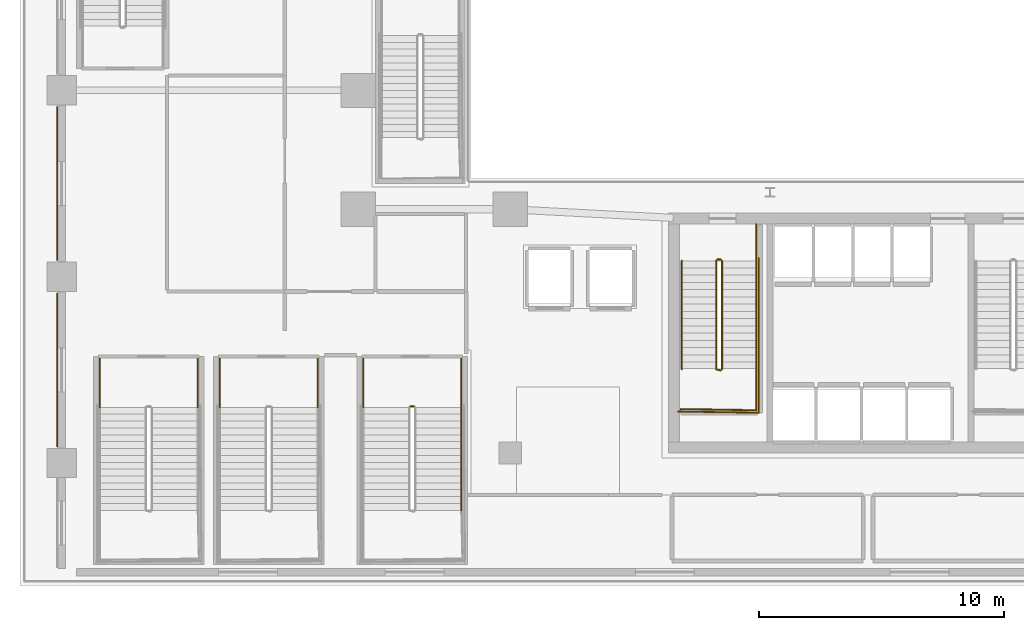
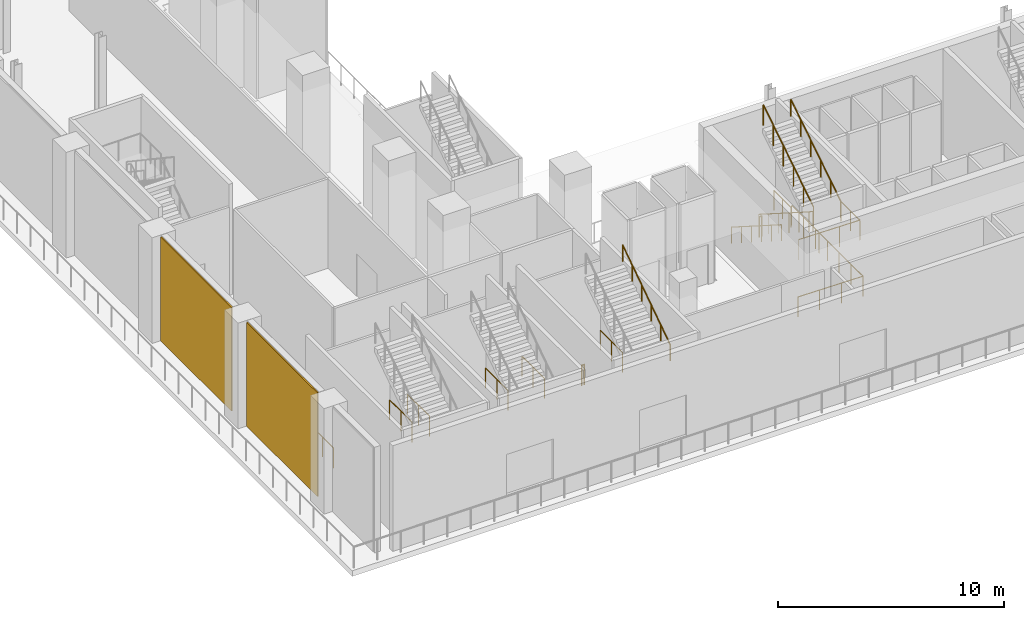
# One storey, part 16 of 29: 16 railings, 2 coverings.
"""IFC4 building model written with IfcOpenShell, lengths in metres."""

from ifc_helpers import new_model, si_unit, direction, frame, origin, origin_2d, place, context, subcontext, project, spatial, rectangle, circle, extrude, material, layer, layer_set, type_object, element, save


model = new_model("IFC4")

# Units and contexts
model_context = context("Model", 3, precision=1e-05, world=origin(), true_north=direction((0.0, 1.0)))
body_context = subcontext(model_context, "Body", "Model", "MODEL_VIEW")
ifc_project = project(units=[si_unit("LENGTHUNIT", "METRE"), si_unit("AREAUNIT", "SQUARE_METRE"), si_unit("VOLUMEUNIT", "CUBIC_METRE"), si_unit("PLANEANGLEUNIT", "RADIAN"), si_unit("MASSUNIT", "GRAM", prefix="KILO")], contexts=[model_context])

# Site, building, storey
site_placement = place(None, origin())
site = spatial("IfcSite", under=ifc_project, at=site_placement, CompositionType="ELEMENT")
building_placement = place(site_placement, origin())
building = spatial("IfcBuilding", under=site, at=building_placement, Name="Ndaravel Arena Tower", CompositionType="ELEMENT")
storey_placement = place(building_placement, frame((0.0, 0.0, 12.0)))
storey = spatial("IfcBuildingStorey", under=building, at=storey_placement, Name="L02", CompositionType="ELEMENT", Elevation=12.0)

# Coverings
ifc_material_1 = material(Name="Masonry", Category="masonry")
ifc_layer_1 = layer(ifc_material_1, 0.06005859375)
ifc_layer_set_1 = layer_set([ifc_layer_1], Name="Masonry")
covering_type = type_object("IfcCoveringType", Name="COV-STONE-CLAD", PredefinedType="CLADDING", material=ifc_layer_set_1)
for number, where, z_axis, x_axis, name in (
    (1, (1.52001953125, 8.800048828125, 0.050048828125), (0.0, 0.0, 1.0), (1.0, 0.0, 0.0), "L02 Honed Mazeras Ashlar Panel W2"),
    (2, (1.52001953125, 16.39990234375, 0.050048828125), (0.0, 0.0, 1.0), (1.0, 0.0, 0.0), "L02 Honed Mazeras Ashlar Panel W3"),
):
    element("IfcCovering", number, at=place(storey_placement, frame(where, z_axis=z_axis, x_axis=x_axis)), inside=storey, type_object=covering_type, Name=name, PredefinedType="CLADDING", context=body_context, shape_type="SweptSolid", body=[
        extrude(rectangle(XDim=0.06005859375, YDim=6.260009765625, at=origin_2d()), origin(), (0.0, 0.0, 1.0), 5.60009765625),
    ])

# Railings
ifc_material_2 = material(Name="Steel S355", Category="steel")
ifc_layer_2 = layer(ifc_material_2, 0.06005859375)
ifc_layer_set_2 = layer_set([ifc_layer_2], Name="Steel S355")
railing_type_1 = type_object("IfcRailingType", Name="RAIL-STAIR-GD1100", PredefinedType="GUARDRAIL", material=ifc_layer_set_2)
railing_1_placement = place(storey_placement, frame((28.39990234375, 13.25, 0.1875)))
element("IfcRailing", 3, at=railing_1_placement, inside=storey, type_object=railing_type_1, Name="L02 ST-1 stair guard 1", PredefinedType="GUARDRAIL", context=body_context, shape_type="SweptSolid", body=[
    extrude(circle(Radius=0.02392578125, at=origin_2d()), frame((0.0, 0.0, 1.076171875), z_axis=(0.0, -0.843958541447, 0.536408408136), x_axis=(1.0, 0.0, 0.0)), (0.0, 0.0, 1.0), 5.2431640625),
    extrude(circle(Radius=0.02392578125, at=origin_2d()), frame((0.0, -4.425048828125, 3.888671875), z_axis=(0.967074537263, -0.25449329928, 0.0), x_axis=(0.25449329928, 0.967074537263, 0.0)), (0.0, 0.0, 1.0), 0.19677734375),
    extrude(circle(Radius=0.02099609375, at=origin_2d()), origin(), (0.0, 0.0, 1.0), 1.052001953125),
    extrude(circle(Radius=0.02099609375, at=origin_2d()), frame((0.0, -0.885009765625, 0.5625)), (0.0, 0.0, 1.0), 1.052001953125),
    extrude(circle(Radius=0.02099609375, at=origin_2d()), frame((0.0, -1.77001953125, 1.125)), (0.0, 0.0, 1.0), 1.052001953125),
    extrude(circle(Radius=0.02099609375, at=origin_2d()), frame((0.0, -2.655029296875, 1.6875)), (0.0, 0.0, 1.0), 1.052001953125),
    extrude(circle(Radius=0.02099609375, at=origin_2d()), frame((0.0, -3.5400390625, 2.25)), (0.0, 0.0, 1.0), 1.052001953125),
    extrude(circle(Radius=0.02099609375, at=origin_2d()), frame((0.0, -4.425048828125, 2.8125)), (0.0, 0.0, 1.0), 1.052001953125),
    extrude(circle(Radius=0.02099609375, at=origin_2d()), frame((0.190185546875, -4.47509765625, 2.8125)), (0.0, 0.0, 1.0), 1.052001953125),
])
railing_2_placement = place(storey_placement, frame((30.0400390625, 8.824951171875, 3.0)))
element("IfcRailing", 4, at=railing_2_placement, inside=storey, type_object=railing_type_1, Name="L02 ST-1 stair guard 2", PredefinedType="GUARDRAIL", context=body_context, shape_type="SweptSolid", body=[
    extrude(circle(Radius=0.02392578125, at=origin_2d()), frame((0.0, 0.0, 1.076171875), z_axis=(0.0, -1.0, 0.0), x_axis=(1.0, 0.0, 0.0)), (0.0, 0.0, 1.0), 1.675048828125),
    extrude(circle(Radius=0.02392578125, at=origin_2d()), frame((0.0, -1.675048828125, 1.076171875), z_axis=(-0.999868861343, 0.016194447071, 0.0), x_axis=(-0.016194447071, -0.999868861343, 0.0)), (0.0, 0.0, 1.0), 3.090576171875),
    extrude(circle(Radius=0.02099609375, at=origin_2d()), origin(), (0.0, 0.0, 1.0), 1.052001953125),
    extrude(circle(Radius=0.02099609375, at=origin_2d()), frame((0.0, -0.83740234375, 0.0)), (0.0, 0.0, 1.0), 1.052001953125),
    extrude(circle(Radius=0.02099609375, at=origin_2d()), frame((0.0, -1.675048828125, 0.0)), (0.0, 0.0, 1.0), 1.052001953125),
    extrude(circle(Radius=0.02099609375, at=origin_2d()), frame((-1.030029296875, -1.658447265625, 0.0)), (0.0, 0.0, 1.0), 1.052001953125),
    extrude(circle(Radius=0.02099609375, at=origin_2d()), frame((-2.06005859375, -1.6416015625, 0.0)), (0.0, 0.0, 1.0), 1.052001953125),
    extrude(circle(Radius=0.02099609375, at=origin_2d()), frame((-3.090087890625, -1.625, 0.0)), (0.0, 0.0, 1.0), 1.052001953125),
])
railing_3_placement = place(storey_placement, frame((28.639892578125, 8.824951171875, 3.1875)))
element("IfcRailing", 5, at=railing_3_placement, inside=storey, type_object=railing_type_1, Name="L02 ST-1 stair guard 3", PredefinedType="GUARDRAIL", context=body_context, shape_type="SweptSolid", body=[
    extrude(circle(Radius=0.02392578125, at=origin_2d()), frame((0.0, 0.0, 1.076171875), z_axis=(0.0, 0.843958541447, 0.536408408136), x_axis=(-1.0, 0.0, 0.0)), (0.0, 0.0, 1.0), 5.2431640625),
    extrude(circle(Radius=0.02099609375, at=origin_2d()), origin(), (0.0, 0.0, 1.0), 1.052001953125),
    extrude(circle(Radius=0.02099609375, at=origin_2d()), frame((0.0, 0.885009765625, 0.5625)), (0.0, 0.0, 1.0), 1.052001953125),
    extrude(circle(Radius=0.02099609375, at=origin_2d()), frame((0.0, 1.77001953125, 1.125)), (0.0, 0.0, 1.0), 1.052001953125),
    extrude(circle(Radius=0.02099609375, at=origin_2d()), frame((0.0, 2.655029296875, 1.6875)), (0.0, 0.0, 1.0), 1.052001953125),
    extrude(circle(Radius=0.02099609375, at=origin_2d()), frame((0.0, 3.5400390625, 2.25)), (0.0, 0.0, 1.0), 1.052001953125),
    extrude(circle(Radius=0.02099609375, at=origin_2d()), frame((0.0, 4.425048828125, 2.8125)), (0.0, 0.0, 1.0), 1.052001953125),
])
railing_4_placement = place(storey_placement, frame((28.449951171875, 13.300048828125, 0.0)))
element("IfcRailing", 6, at=railing_4_placement, inside=storey, type_object=railing_type_1, Name="L02 ST-1 stair guard 4", PredefinedType="GUARDRAIL", context=body_context, shape_type="SweptSolid", body=[
    extrude(circle(Radius=0.02392578125, at=origin_2d()), frame((0.0, 0.0, 1.076171875), z_axis=(1.0, 0.0, 0.0), x_axis=(0.0, 1.0, 0.0)), (0.0, 0.0, 1.0), 0.14013671875),
    extrude(circle(Radius=0.02099609375, at=origin_2d()), origin(), (0.0, 0.0, 1.0), 1.052001953125),
    extrude(circle(Radius=0.02099609375, at=origin_2d()), frame((0.14013671875, 0.0, 0.0)), (0.0, 0.0, 1.0), 1.052001953125),
])
railing_5_placement = place(storey_placement, frame((30.0400390625, 14.75, 0.0)))
element("IfcRailing", 7, at=railing_5_placement, inside=storey, type_object=railing_type_1, Name="L02 ST-1 stair guard 5", PredefinedType="GUARDRAIL", context=body_context, shape_type="SweptSolid", body=[
    extrude(circle(Radius=0.02392578125, at=origin_2d()), frame((0.0, 0.0, 1.076171875), z_axis=(0.0, -1.0, 0.0), x_axis=(1.0, 0.0, 0.0)), (0.0, 0.0, 1.0), 1.5),
    extrude(circle(Radius=0.02099609375, at=origin_2d()), origin(), (0.0, 0.0, 1.0), 1.052001953125),
    extrude(circle(Radius=0.02099609375, at=origin_2d()), frame((0.0, -0.75, 0.0)), (0.0, 0.0, 1.0), 1.052001953125),
    extrude(circle(Radius=0.02099609375, at=origin_2d()), frame((0.0, -1.5, 0.0)), (0.0, 0.0, 1.0), 1.052001953125),
])
railing_6_placement = place(storey_placement, frame((30.139892578125, 13.35009765625, 0.0)))
element("IfcRailing", 8, at=railing_6_placement, inside=storey, type_object=railing_type_1, Name="L02 ST-1 stair guard 6", PredefinedType="GUARDRAIL", context=body_context, shape_type="SweptSolid", body=[
    extrude(circle(Radius=0.02392578125, at=origin_2d()), frame((0.0, 0.0, 1.076171875), z_axis=(0.0, -1.0, 0.0), x_axis=(1.0, 0.0, 0.0)), (0.0, 0.0, 1.0), 6.300048828125),
    extrude(circle(Radius=0.02392578125, at=origin_2d()), frame((0.0, -6.300048828125, 1.076171875), z_axis=(-0.999884296952, 0.015211597839, 0.0), x_axis=(-0.015211597839, -0.999884296952, 0.0)), (0.0, 0.0, 1.0), 3.290283203125),
    extrude(circle(Radius=0.02099609375, at=origin_2d()), origin(), (0.0, 0.0, 1.0), 1.052001953125),
    extrude(circle(Radius=0.02099609375, at=origin_2d()), frame((0.0, -1.050048828125, 0.0)), (0.0, 0.0, 1.0), 1.052001953125),
    extrude(circle(Radius=0.02099609375, at=origin_2d()), frame((0.0, -2.10009765625, 0.0)), (0.0, 0.0, 1.0), 1.052001953125),
    extrude(circle(Radius=0.02099609375, at=origin_2d()), frame((0.0, -3.14990234375, 0.0)), (0.0, 0.0, 1.0), 1.052001953125),
    extrude(circle(Radius=0.02099609375, at=origin_2d()), frame((0.0, -4.199951171875, 0.0)), (0.0, 0.0, 1.0), 1.052001953125),
    extrude(circle(Radius=0.02099609375, at=origin_2d()), frame((0.0, -5.25, 0.0)), (0.0, 0.0, 1.0), 1.052001953125),
    extrude(circle(Radius=0.02099609375, at=origin_2d()), frame((0.0, -6.300048828125, 0.0)), (0.0, 0.0, 1.0), 1.052001953125),
    extrude(circle(Radius=0.02099609375, at=origin_2d()), frame((-1.0966796875, -6.283447265625, 0.0)), (0.0, 0.0, 1.0), 1.052001953125),
    extrude(circle(Radius=0.02099609375, at=origin_2d()), frame((-2.193115234375, -6.2666015625, 0.0)), (0.0, 0.0, 1.0), 1.052001953125),
    extrude(circle(Radius=0.02099609375, at=origin_2d()), frame((-3.289794921875, -6.25, 0.0)), (0.0, 0.0, 1.0), 1.052001953125),
])
for number, where, name in (
    (9, (3.25, 9.25, 0.0), "L02 ST-A01 stair guard 5"),
    (10, (7.25, 9.25, 0.0), "L02 ST-A01 stair guard 6"),
    (11, (8.14990234375, 9.25, 0.0), "L02 ST-A02 stair guard 5"),
    (12, (12.14990234375, 9.25, 0.0), "L02 ST-A02 stair guard 6"),
):
    element("IfcRailing", number, at=place(storey_placement, frame(where)), inside=storey, type_object=railing_type_1, Name=name, PredefinedType="GUARDRAIL", context=body_context, shape_type="SweptSolid", body=[
        extrude(circle(Radius=0.02392578125, at=origin_2d()), frame((0.0, 0.0, 1.076171875), z_axis=(0.0, -1.0, 0.0), x_axis=(1.0, 0.0, 0.0)), (0.0, 0.0, 1.0), 1.97998046875),
        extrude(circle(Radius=0.02099609375, at=origin_2d()), origin(), (0.0, 0.0, 1.0), 1.052001953125),
        extrude(circle(Radius=0.02099609375, at=origin_2d()), frame((0.0, -0.989990234375, 0.0)), (0.0, 0.0, 1.0), 1.052001953125),
        extrude(circle(Radius=0.02099609375, at=origin_2d()), frame((0.0, -1.97998046875, 0.0)), (0.0, 0.0, 1.0), 1.052001953125),
    ])
railing_7_placement = place(storey_placement, frame((15.929931640625, 7.320068359375, 0.0)))
element("IfcRailing", 13, at=railing_7_placement, inside=storey, type_object=railing_type_1, Name="L02 ST-A03 stair guard 4", PredefinedType="GUARDRAIL", context=body_context, shape_type="SweptSolid", body=[
    extrude(circle(Radius=0.02392578125, at=origin_2d()), frame((0.0, 0.0, 1.076171875), z_axis=(1.0, 0.0, 0.0), x_axis=(0.0, 1.0, 0.0)), (0.0, 0.0, 1.0), 0.14013671875),
    extrude(circle(Radius=0.02099609375, at=origin_2d()), origin(), (0.0, 0.0, 1.0), 1.052001953125),
    extrude(circle(Radius=0.02099609375, at=origin_2d()), frame((0.14013671875, 0.0, 0.0)), (0.0, 0.0, 1.0), 1.052001953125),
])
for number, where, name in (
    (14, (14.0, 9.25, 0.0), "L02 ST-A03 stair guard 5"),
    (15, (18.0, 9.25, 0.0), "L02 ST-A03 stair guard 6"),
):
    element("IfcRailing", number, at=place(storey_placement, frame(where)), inside=storey, type_object=railing_type_1, Name=name, PredefinedType="GUARDRAIL", context=body_context, shape_type="SweptSolid", body=[
        extrude(circle(Radius=0.02392578125, at=origin_2d()), frame((0.0, 0.0, 1.076171875), z_axis=(0.0, -1.0, 0.0), x_axis=(1.0, 0.0, 0.0)), (0.0, 0.0, 1.0), 1.97998046875),
        extrude(circle(Radius=0.02099609375, at=origin_2d()), origin(), (0.0, 0.0, 1.0), 1.052001953125),
        extrude(circle(Radius=0.02099609375, at=origin_2d()), frame((0.0, -0.989990234375, 0.0)), (0.0, 0.0, 1.0), 1.052001953125),
        extrude(circle(Radius=0.02099609375, at=origin_2d()), frame((0.0, -1.97998046875, 0.0)), (0.0, 0.0, 1.0), 1.052001953125),
    ])
ifc_material_3 = material(Name="Steel S355", Category="steel")
ifc_layer_3 = layer(ifc_material_3, 0.050048828125)
ifc_layer_set_3 = layer_set([ifc_layer_3], Name="Steel S355")
railing_type_2 = type_object("IfcRailingType", Name="RAIL-STAIR-HR920", PredefinedType="HANDRAIL", material=ifc_layer_set_3)
railing_8_placement = place(storey_placement, frame((27.0, 13.25, 0.1875)))
element("IfcRailing", 16, at=railing_8_placement, inside=storey, type_object=railing_type_2, Name="L02 ST-1 stair handrail 1", PredefinedType="HANDRAIL", context=body_context, shape_type="SweptSolid", body=[
    extrude(circle(Radius=0.02392578125, at=origin_2d()), frame((0.0, 0.0, 0.8759765625), z_axis=(0.0, -0.843958541447, 0.536408408136), x_axis=(1.0, 0.0, 0.0)), (0.0, 0.0, 1.0), 5.2431640625),
    extrude(circle(Radius=0.02099609375, at=origin_2d()), origin(), (0.0, 0.0, 1.0), 0.851806640625),
    extrude(circle(Radius=0.02099609375, at=origin_2d()), frame((0.0, -0.885009765625, 0.5625)), (0.0, 0.0, 1.0), 0.851806640625),
    extrude(circle(Radius=0.02099609375, at=origin_2d()), frame((0.0, -1.77001953125, 1.125)), (0.0, 0.0, 1.0), 0.851806640625),
    extrude(circle(Radius=0.02099609375, at=origin_2d()), frame((0.0, -2.655029296875, 1.6875)), (0.0, 0.0, 1.0), 0.851806640625),
    extrude(circle(Radius=0.02099609375, at=origin_2d()), frame((0.0, -3.5400390625, 2.25)), (0.0, 0.0, 1.0), 0.851806640625),
    extrude(circle(Radius=0.02099609375, at=origin_2d()), frame((0.0, -4.425048828125, 2.8125)), (0.0, 0.0, 1.0), 0.851806640625),
])
railing_9_placement = place(storey_placement, frame((30.0400390625, 8.824951171875, 3.1875)))
element("IfcRailing", 17, at=railing_9_placement, inside=storey, type_object=railing_type_2, Name="L02 ST-1 stair handrail 2", PredefinedType="HANDRAIL", context=body_context, shape_type="SweptSolid", body=[
    extrude(circle(Radius=0.02392578125, at=origin_2d()), frame((0.0, 0.0, 0.8759765625), z_axis=(0.0, 0.843958541447, 0.536408408136), x_axis=(-1.0, 0.0, 0.0)), (0.0, 0.0, 1.0), 5.2431640625),
    extrude(circle(Radius=0.02099609375, at=origin_2d()), origin(), (0.0, 0.0, 1.0), 0.851806640625),
    extrude(circle(Radius=0.02099609375, at=origin_2d()), frame((0.0, 0.885009765625, 0.5625)), (0.0, 0.0, 1.0), 0.851806640625),
    extrude(circle(Radius=0.02099609375, at=origin_2d()), frame((0.0, 1.77001953125, 1.125)), (0.0, 0.0, 1.0), 0.851806640625),
    extrude(circle(Radius=0.02099609375, at=origin_2d()), frame((0.0, 2.655029296875, 1.6875)), (0.0, 0.0, 1.0), 0.851806640625),
    extrude(circle(Radius=0.02099609375, at=origin_2d()), frame((0.0, 3.5400390625, 2.25)), (0.0, 0.0, 1.0), 0.851806640625),
    extrude(circle(Radius=0.02099609375, at=origin_2d()), frame((0.0, 4.425048828125, 2.8125)), (0.0, 0.0, 1.0), 0.851806640625),
])
railing_10_placement = place(storey_placement, frame((18.0, 3.070068359375, 3.1875)))
element("IfcRailing", 18, at=railing_10_placement, inside=storey, type_object=railing_type_2, Name="L02 ST-A03 stair handrail 2", PredefinedType="HANDRAIL", context=body_context, shape_type="SweptSolid", body=[
    extrude(circle(Radius=0.02392578125, at=origin_2d()), frame((0.0, 0.0, 0.8759765625), z_axis=(0.0, 0.830904186295, 0.556415522067), x_axis=(-1.0, 0.0, 0.0)), (0.0, 0.0, 1.0), 5.0546875),
    extrude(circle(Radius=0.02099609375, at=origin_2d()), origin(), (0.0, 0.0, 1.0), 0.851806640625),
    extrude(circle(Radius=0.02099609375, at=origin_2d()), frame((0.0, 0.840087890625, 0.5625)), (0.0, 0.0, 1.0), 0.851806640625),
    extrude(circle(Radius=0.02099609375, at=origin_2d()), frame((0.0, 1.679931640625, 1.125)), (0.0, 0.0, 1.0), 0.851806640625),
    extrude(circle(Radius=0.02099609375, at=origin_2d()), frame((0.0, 2.52001953125, 1.6875)), (0.0, 0.0, 1.0), 0.851806640625),
    extrude(circle(Radius=0.02099609375, at=origin_2d()), frame((0.0, 3.35986328125, 2.25)), (0.0, 0.0, 1.0), 0.851806640625),
    extrude(circle(Radius=0.02099609375, at=origin_2d()), frame((0.0, 4.199951171875, 2.8125)), (0.0, 0.0, 1.0), 0.851806640625),
])

save(model, "model.ifc")
